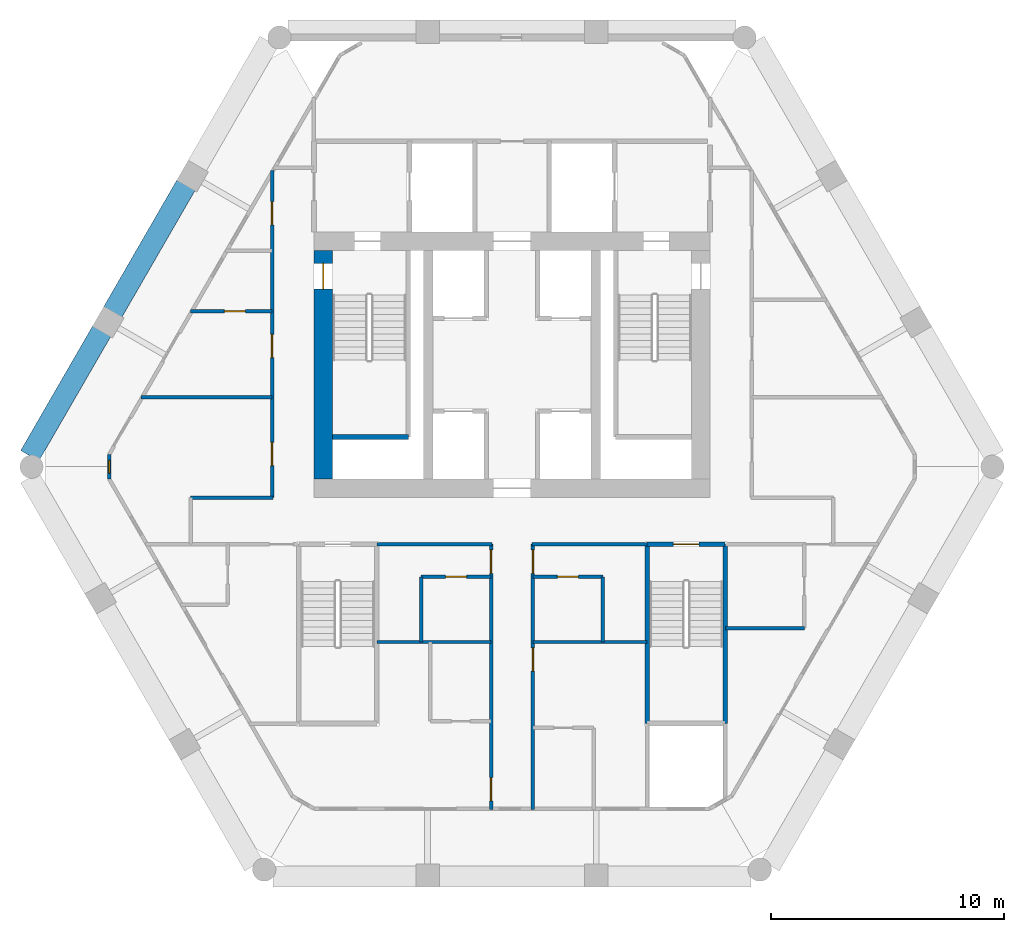
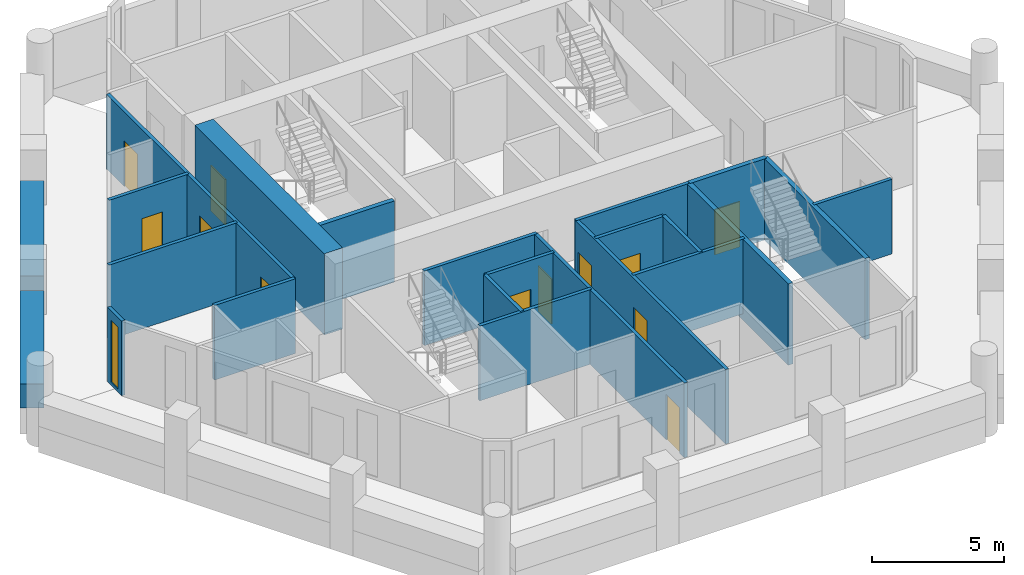
# One storey, part 3 of 7: 23 walls, 12 doors, 1 window, 13 openings.
"""IFC4 building model written with IfcOpenShell, lengths in metres."""

from ifc_helpers import new_model, si_unit, direction, frame, frame_2d, origin, place, context, subcontext, project, spatial, rectangle, extrude, material, layer, layer_set, type_object, element, fill, save


model = new_model("IFC4")

# Units and contexts
model_context = context("Model", 3, precision=1e-05, world=origin(), true_north=direction((0.0, 1.0)))
body_context = subcontext(model_context, "Body", "Model", "MODEL_VIEW")
ifc_project = project(units=[si_unit("LENGTHUNIT", "METRE"), si_unit("AREAUNIT", "SQUARE_METRE"), si_unit("VOLUMEUNIT", "CUBIC_METRE"), si_unit("PLANEANGLEUNIT", "RADIAN"), si_unit("MASSUNIT", "GRAM", prefix="KILO")], contexts=[model_context])

# Site, building, storey
site_placement = place(None, origin())
site = spatial("IfcSite", under=ifc_project, at=site_placement, CompositionType="ELEMENT")
building_placement = place(site_placement, origin())
building = spatial("IfcBuilding", under=site, at=building_placement, Name="Ostrander Bayou Hotel Tower", CompositionType="ELEMENT")
storey_placement = place(building_placement, frame((0.0, 0.0, 168.25)))
storey = spatial("IfcBuildingStorey", under=building, at=storey_placement, Name="L41", CompositionType="ELEMENT", Elevation=168.25)

# Wall, opening, door
ifc_material_1 = material(Name="Concrete f'c 60 MPa", Category="concrete")
ifc_layer_1 = layer(ifc_material_1, 0.800048828125)
ifc_layer_set_1 = layer_set([ifc_layer_1], Name="CW8 core spine wall 800 mm f'c 60 MPa")
wall_type_1 = type_object("IfcWallType", Name="CW8 core spine wall 800 mm f'c 60 MPa", PredefinedType="SHEAR", material=ifc_layer_set_1)
wall_1_placement = place(storey_placement, frame((-8.10009765625, -0.89990234375, -0.300048828125), z_axis=(0.0, 0.0, 1.0), x_axis=(0.0, 1.0, 0.0)))
wall_1 = element("IfcWall", 1, at=wall_1_placement, inside=storey, type_object=wall_type_1, Name="CW8 L41 W", PredefinedType="SHEAR", context=body_context, shape_type="SweptSolid", body=[
    extrude(rectangle(XDim=9.7998046875, YDim=0.800048828125, at=frame_2d((4.89990234375, 0.0))), origin(), (0.0, 0.0, 1.0), 3.75),
])
opening_1_placement = place(wall_1_placement, frame((8.14990234375, 0.0, 0.0)))
opening_1 = element("IfcOpeningElement", 2, at=opening_1_placement, cuts=wall_1, Name="Opening T41-008", PredefinedType="OPENING", context=body_context, shape_type="SweptSolid", body=[
    extrude(rectangle(XDim=1.10009765625, YDim=2.10009765625, at=frame_2d((0.550048828125, 1.050048828125))), frame((0.0, 0.39990234375, 0.0), z_axis=(0.0, -1.0, 0.0), x_axis=(1.0, 0.0, 0.0)), (0.0, 0.0, 1.0), 0.800048828125),
])
ifc_material_2 = material(Name="Timber door leaf", Category="wood")
door_type_1 = type_object("IfcDoorType", Name="D5 stair door 1100 x 2100 mm, 90 minute", OperationType="SINGLE_SWING_LEFT", PredefinedType="DOOR", material=ifc_material_2)
door_1_placement = place(opening_1_placement, origin())
door_1 = element("IfcDoor", 3, at=door_1_placement, inside=storey, type_object=door_type_1, Name="dr:L41:008", OperationType="SINGLE_SWING_RIGHT", OverallHeight=2.10009765625, OverallWidth=1.10009765625, PredefinedType="DOOR", context=body_context, shape_type="SweptSolid", body=[
    extrude(rectangle(XDim=1.10009765625, YDim=2.10009765625, at=frame_2d((0.550048828125, 1.050048828125))), frame((0.0, 0.02490234375, 0.0), z_axis=(0.0, -1.0, 0.0), x_axis=(1.0, 0.0, 0.0)), (0.0, 0.0, 1.0), 0.050048828125),
])
fill(opening_1, door_1)

# Wall, opening, window
ifc_material_3 = material(Name="Aluminium framed insulated wall", Category="aluminium")
ifc_layer_2 = layer(ifc_material_3, 0.14990234375)
ifc_layer_set_2 = layer_set([ifc_layer_2], Name="GW1 glass-line wall 150 mm")
wall_type_2 = type_object("IfcWallType", Name="GW1 glass-line wall 150 mm", PredefinedType="SOLIDWALL", material=ifc_layer_set_2)
wall_2_placement = place(storey_placement, frame((-17.28662109375, 0.156005859375, 0.0), z_axis=(0.0, 0.0, 1.0), x_axis=(0.0, -1.0, 0.0)))
wall_2 = element("IfcWall", 4, at=wall_2_placement, inside=storey, type_object=wall_type_2, Name="GW1 L41 corner 2", PredefinedType="SOLIDWALL", context=body_context, shape_type="SweptSolid", body=[
    extrude(rectangle(XDim=1.06494140625, YDim=0.14990234375, at=frame_2d((0.532470703125, 0.0))), origin(), (0.0, 0.0, 1.0), 3.449951171875),
])
opening_2_placement = place(wall_2_placement, frame((0.257568359375, 0.0, 0.14990234375)))
opening_2 = element("IfcOpeningElement", 5, at=opening_2_placement, cuts=wall_2, Name="Opening W19", PredefinedType="OPENING", context=body_context, shape_type="SweptSolid", body=[
    extrude(rectangle(XDim=0.550048828125, YDim=2.85009765625, at=frame_2d((0.27490234375, 1.425048828125))), frame((0.0, 0.074951171875, 0.0), z_axis=(0.0, -1.0, 0.0), x_axis=(1.0, 0.0, 0.0)), (0.0, 0.0, 1.0), 0.14990234375),
])
ifc_material_4 = material(Name="Aluminium and clear glass", Category="aluminium")
window_type = type_object("IfcWindowType", Name="W19 corner window 550 mm", PartitioningType="SINGLE_PANEL", PredefinedType="WINDOW", material=ifc_material_4)
window_placement = place(opening_2_placement, origin())
window = element("IfcWindow", 6, at=window_placement, inside=storey, type_object=window_type, Name="W19 L41 corner 2", OverallHeight=2.85009765625, OverallWidth=0.550048828125, PartitioningType="SINGLE_PANEL", PredefinedType="WINDOW", context=body_context, shape_type="SweptSolid", body=[
    extrude(rectangle(XDim=0.550048828125, YDim=2.85009765625, at=frame_2d((0.27490234375, 1.425048828125))), frame((0.0, 0.030029296875, 0.0), z_axis=(0.0, -1.0, 0.0), x_axis=(1.0, 0.0, 0.0)), (0.0, 0.0, 1.0), 0.06005859375),
])
fill(opening_2, window)

# Walls
ifc_material_5 = material(Name="Concrete f'c 40 MPa", Category="concrete")
ifc_layer_3 = layer(ifc_material_5, 0.89990234375)
ifc_layer_set_3 = layer_set([ifc_layer_3], Name="PA1 stone-faced parapet 900 mm")
wall_type_3 = type_object("IfcWallType", Name="PA1 stone-faced parapet 900 mm", PredefinedType="PARAPET", material=ifc_layer_set_3)
wall_3_placement = place(storey_placement, frame((-13.99169921875, 11.713134765625, 0.0), z_axis=(0.0, 0.0, 1.0), x_axis=(-0.499984268907, -0.866034485945, 0.0)))
element("IfcWall", 7, at=wall_3_placement, inside=storey, type_object=wall_type_3, Name="PA1 L41 NW-2", PredefinedType="PARAPET", context=body_context, shape_type="SweptSolid", body=[
    extrude(rectangle(XDim=6.296142578125, YDim=0.89990234375, at=frame_2d((3.14794921875, 0.0))), origin(), (0.0, 0.0, 1.0), 1.10009765625),
])
wall_4_placement = place(storey_placement, frame((-17.609619140625, 5.4462890625, 0.0), z_axis=(0.0, 0.0, 1.0), x_axis=(-0.500000533151, -0.866025095969, 0.0)))
element("IfcWall", 8, at=wall_4_placement, inside=storey, type_object=wall_type_3, Name="PA1 L41 NW-3", PredefinedType="PARAPET", context=body_context, shape_type="SweptSolid", body=[
    extrude(rectangle(XDim=6.18115234375, YDim=0.89990234375, at=frame_2d((3.090576171875, 0.0))), origin(), (0.0, 0.0, 1.0), 1.10009765625),
])
ifc_material_6 = material(Name="Gypsum board partition", Category="finish")
ifc_layer_4 = layer(ifc_material_6, 0.14990234375)
ifc_layer_set_4 = layer_set([ifc_layer_4], Name="PT8 service band wall 150 mm, 1 hour")
wall_type_4 = type_object("IfcWallType", Name="PT8 service band wall 150 mm, 1 hour", PredefinedType="PARTITIONING", material=ifc_layer_set_4)
for number, where, z_axis, x_axis, name in (
    (9, (-5.7900390625, -7.89990234375, 0.0), (0.0, 0.0, 1.0), (1.0, 0.0, 0.0), "gw:L41:004"),
    (10, (0.89990234375, -7.89990234375, 0.0), (0.0, 0.0, 1.0), (1.0, 0.0, 0.0), "gw:L41:005"),
):
    element("IfcWall", number, at=place(storey_placement, frame(where, z_axis=z_axis, x_axis=x_axis)), inside=storey, type_object=wall_type_4, Name=name, PredefinedType="PARTITIONING", context=body_context, shape_type="SweptSolid", body=[
        extrude(rectangle(XDim=4.89013671875, YDim=0.14990234375, at=frame_2d((2.445068359375, 0.0))), origin(), (0.0, 0.0, 1.0), 3.449951171875),
    ])
wall_5_placement = place(storey_placement, frame((9.159912109375, -7.300048828125, 0.0), z_axis=(0.0, 0.0, 1.0), x_axis=(1.0, 0.0, 0.0)))
element("IfcWall", 11, at=wall_5_placement, inside=storey, type_object=wall_type_4, Name="gw:L41:006", PredefinedType="PARTITIONING", context=body_context, shape_type="SweptSolid", body=[
    extrude(rectangle(XDim=3.39013671875, YDim=0.14990234375, at=frame_2d((1.695068359375, 0.0))), origin(), (0.0, 0.0, 1.0), 3.449951171875),
])

# Wall, opening, door
wall_6_placement = place(storey_placement, frame((-3.89990234375, -5.10009765625, 0.0), z_axis=(0.0, 0.0, 1.0), x_axis=(1.0, 0.0, 0.0)))
wall_6 = element("IfcWall", 12, at=wall_6_placement, inside=storey, type_object=wall_type_4, Name="gw:L41:008", PredefinedType="PARTITIONING", context=body_context, shape_type="SweptSolid", body=[
    extrude(rectangle(XDim=3.0, YDim=0.14990234375, at=frame_2d((1.5, 0.0))), origin(), (0.0, 0.0, 1.0), 3.449951171875),
])
opening_3_placement = place(wall_6_placement, frame((1.050048828125, 0.0, 0.0)))
opening_3 = element("IfcOpeningElement", 13, at=opening_3_placement, cuts=wall_6, Name="Opening T41-403", PredefinedType="OPENING", context=body_context, shape_type="SweptSolid", body=[
    extrude(rectangle(XDim=0.89990234375, YDim=2.10009765625, at=frame_2d((0.449951171875, 1.050048828125))), frame((0.0, 0.074951171875, 0.0), z_axis=(0.0, -1.0, 0.0), x_axis=(1.0, 0.0, 0.0)), (0.0, 0.0, 1.0), 0.14990234375),
])
ifc_material_7 = material(Name="Timber door leaf", Category="wood")
door_type_2 = type_object("IfcDoorType", Name="D14 bathroom door 900 x 2100 mm", OperationType="SINGLE_SWING_LEFT", PredefinedType="DOOR", material=ifc_material_7)
door_2_placement = place(opening_3_placement, origin())
door_2 = element("IfcDoor", 14, at=door_2_placement, inside=storey, type_object=door_type_2, Name="dr:L41:403", OperationType="SINGLE_SWING_RIGHT", OverallHeight=2.10009765625, OverallWidth=0.89990234375, PredefinedType="DOOR", context=body_context, shape_type="SweptSolid", body=[
    extrude(rectangle(XDim=0.89990234375, YDim=2.10009765625, at=frame_2d((0.449951171875, 1.050048828125))), frame((0.0, 0.02490234375, 0.0), z_axis=(0.0, -1.0, 0.0), x_axis=(1.0, 0.0, 0.0)), (0.0, 0.0, 1.0), 0.050048828125),
])
fill(opening_3, door_2)

wall_7_placement = place(storey_placement, frame((0.89990234375, -5.10009765625, 0.0), z_axis=(0.0, 0.0, 1.0), x_axis=(1.0, 0.0, 0.0)))
wall_7 = element("IfcWall", 15, at=wall_7_placement, inside=storey, type_object=wall_type_4, Name="gw:L41:009", PredefinedType="PARTITIONING", context=body_context, shape_type="SweptSolid", body=[
    extrude(rectangle(XDim=3.0, YDim=0.14990234375, at=frame_2d((1.5, 0.0))), origin(), (0.0, 0.0, 1.0), 3.449951171875),
])
opening_4_placement = place(wall_7_placement, frame((1.050048828125, 0.0, 0.0)))
opening_4 = element("IfcOpeningElement", 16, at=opening_4_placement, cuts=wall_7, Name="Opening T41-407", PredefinedType="OPENING", context=body_context, shape_type="SweptSolid", body=[
    extrude(rectangle(XDim=0.89990234375, YDim=2.10009765625, at=frame_2d((0.449951171875, 1.050048828125))), frame((0.0, 0.074951171875, 0.0), z_axis=(0.0, -1.0, 0.0), x_axis=(1.0, 0.0, 0.0)), (0.0, 0.0, 1.0), 0.14990234375),
])
door_3_placement = place(opening_4_placement, origin())
door_3 = element("IfcDoor", 17, at=door_3_placement, inside=storey, type_object=door_type_2, Name="dr:L41:407", OperationType="SINGLE_SWING_LEFT", OverallHeight=2.10009765625, OverallWidth=0.89990234375, PredefinedType="DOOR", context=body_context, shape_type="SweptSolid", body=[
    extrude(rectangle(XDim=0.89990234375, YDim=2.10009765625, at=frame_2d((0.449951171875, 1.050048828125))), frame((0.0, 0.02490234375, 0.0), z_axis=(0.0, -1.0, 0.0), x_axis=(1.0, 0.0, 0.0)), (0.0, 0.0, 1.0), 0.050048828125),
])
fill(opening_4, door_3)

# Walls
for number, where, z_axis, x_axis, name in (
    (18, (-5.7900390625, -3.699951171875, 0.0), (0.0, 0.0, 1.0), (1.0, 0.0, 0.0), "gw:L41:011"),
    (19, (0.860107421875, -3.699951171875, 0.0), (0.0, 0.0, 1.0), (1.0, 0.0, 0.0), "gw:L41:012"),
):
    element("IfcWall", number, at=place(storey_placement, frame(where, z_axis=z_axis, x_axis=x_axis)), inside=storey, type_object=wall_type_4, Name=name, PredefinedType="PARTITIONING", context=body_context, shape_type="SweptSolid", body=[
        extrude(rectangle(XDim=4.929931640625, YDim=0.14990234375, at=frame_2d((2.46484375, 0.0))), origin(), (0.0, 0.0, 1.0), 3.449951171875),
    ])
wall_8_placement = place(storey_placement, frame((-13.800048828125, -1.699951171875, 0.0), z_axis=(0.0, 0.0, 1.0), x_axis=(1.0, 0.0, 0.0)))
element("IfcWall", 20, at=wall_8_placement, inside=storey, type_object=wall_type_4, Name="gw:L41:014", PredefinedType="PARTITIONING", context=body_context, shape_type="SweptSolid", body=[
    extrude(rectangle(XDim=3.5400390625, YDim=0.14990234375, at=frame_2d((1.77001953125, 0.0))), origin(), (0.0, 0.0, 1.0), 3.449951171875),
])
wall_9_placement = place(storey_placement, frame((-15.927001953125, 2.60009765625, 0.0), z_axis=(0.0, 0.0, 1.0), x_axis=(1.0, 0.0, 0.0)))
element("IfcWall", 21, at=wall_9_placement, inside=storey, type_object=wall_type_4, Name="gw:L41:016", PredefinedType="PARTITIONING", context=body_context, shape_type="SweptSolid", body=[
    extrude(rectangle(XDim=5.626953125, YDim=0.14990234375, at=frame_2d((2.8134765625, 0.0))), origin(), (0.0, 0.0, 1.0), 3.449951171875),
])

# Wall, opening, door
wall_10_placement = place(storey_placement, frame((-13.791015625, 6.300048828125, 0.0), z_axis=(0.0, 0.0, 1.0), x_axis=(1.0, 0.0, 0.0)))
wall_10 = element("IfcWall", 22, at=wall_10_placement, inside=storey, type_object=wall_type_4, Name="gw:L41:018", PredefinedType="PARTITIONING", context=body_context, shape_type="SweptSolid", body=[
    extrude(rectangle(XDim=3.490966796875, YDim=0.14990234375, at=frame_2d((1.74560546875, 0.0))), origin(), (0.0, 0.0, 1.0), 3.449951171875),
])
opening_5_placement = place(wall_10_placement, frame((1.44091796875, 0.0, 0.0)))
opening_5 = element("IfcOpeningElement", 23, at=opening_5_placement, cuts=wall_10, Name="Opening T41-414", PredefinedType="OPENING", context=body_context, shape_type="SweptSolid", body=[
    extrude(rectangle(XDim=0.89990234375, YDim=2.10009765625, at=frame_2d((0.449951171875, 1.050048828125))), frame((0.0, 0.074951171875, 0.0), z_axis=(0.0, -1.0, 0.0), x_axis=(1.0, 0.0, 0.0)), (0.0, 0.0, 1.0), 0.14990234375),
])
ifc_material_8 = material(Name="Timber door leaf", Category="wood")
door_type_3 = type_object("IfcDoorType", Name="D8 room door 900 x 2100 mm", OperationType="SINGLE_SWING_LEFT", PredefinedType="DOOR", material=ifc_material_8)
door_4_placement = place(opening_5_placement, origin())
door_4 = element("IfcDoor", 24, at=door_4_placement, inside=storey, type_object=door_type_3, Name="dr:L41:414", OperationType="SINGLE_SWING_RIGHT", OverallHeight=2.10009765625, OverallWidth=0.89990234375, PredefinedType="DOOR", context=body_context, shape_type="SweptSolid", body=[
    extrude(rectangle(XDim=0.89990234375, YDim=2.10009765625, at=frame_2d((0.449951171875, 1.050048828125))), frame((0.0, 0.02490234375, 0.0), z_axis=(0.0, -1.0, 0.0), x_axis=(1.0, 0.0, 0.0)), (0.0, 0.0, 1.0), 0.050048828125),
])
fill(opening_5, door_4)

# Wall
wall_11_placement = place(storey_placement, frame((3.89990234375, -7.89990234375, 0.0), z_axis=(0.0, 0.0, 1.0), x_axis=(0.0, 1.0, 0.0)))
element("IfcWall", 25, at=wall_11_placement, inside=storey, type_object=wall_type_4, Name="gw:L41:029", PredefinedType="PARTITIONING", context=body_context, shape_type="SweptSolid", body=[
    extrude(rectangle(XDim=2.7998046875, YDim=0.14990234375, at=frame_2d((1.39990234375, 0.0))), origin(), (0.0, 0.0, 1.0), 3.449951171875),
])

# Wall, openings, doors
wall_12_placement = place(storey_placement, frame((0.89990234375, -15.093994140625, 0.0), z_axis=(0.0, 0.0, 1.0), x_axis=(0.0, 1.0, 0.0)))
wall_12 = element("IfcWall", 26, at=wall_12_placement, inside=storey, type_object=wall_type_4, Name="gw:L41:031", PredefinedType="PARTITIONING", context=body_context, shape_type="SweptSolid", body=[
    extrude(rectangle(XDim=11.39404296875, YDim=0.14990234375, at=frame_2d((5.697021484375, 0.0))), origin(), (0.0, 0.0, 1.0), 3.449951171875),
])
opening_6_placement = place(wall_12_placement, frame((10.14404296875, 0.0, 0.0)))
opening_6 = element("IfcOpeningElement", 27, at=opening_6_placement, cuts=wall_12, Name="Opening T41-406", PredefinedType="OPENING", context=body_context, shape_type="SweptSolid", body=[
    extrude(rectangle(XDim=1.0, YDim=2.10009765625, at=frame_2d((0.5, 1.050048828125))), frame((0.0, 0.074951171875, 0.0), z_axis=(0.0, -1.0, 0.0), x_axis=(1.0, 0.0, 0.0)), (0.0, 0.0, 1.0), 0.14990234375),
])
opening_7_placement = place(wall_12_placement, frame((5.944091796875, 0.0, 0.0)))
opening_7 = element("IfcOpeningElement", 28, at=opening_7_placement, cuts=wall_12, Name="Opening T41-408", PredefinedType="OPENING", context=body_context, shape_type="SweptSolid", body=[
    extrude(rectangle(XDim=1.0, YDim=2.10009765625, at=frame_2d((0.5, 1.050048828125))), frame((0.0, 0.074951171875, 0.0), z_axis=(0.0, -1.0, 0.0), x_axis=(1.0, 0.0, 0.0)), (0.0, 0.0, 1.0), 0.14990234375),
])
ifc_material_9 = material(Name="Timber door leaf", Category="wood")
door_type_4 = type_object("IfcDoorType", Name="D1 guest room door 1000 x 2100 mm, 30 minute", OperationType="SINGLE_SWING_LEFT", PredefinedType="DOOR", material=ifc_material_9)
door_5_placement = place(opening_6_placement, origin())
door_5 = element("IfcDoor", 29, at=door_5_placement, inside=storey, type_object=door_type_4, Name="dr:L41:406", OperationType="SINGLE_SWING_RIGHT", OverallHeight=2.10009765625, OverallWidth=1.0, PredefinedType="DOOR", context=body_context, shape_type="SweptSolid", body=[
    extrude(rectangle(XDim=1.0, YDim=2.10009765625, at=frame_2d((0.5, 1.050048828125))), frame((0.0, 0.02490234375, 0.0), z_axis=(0.0, -1.0, 0.0), x_axis=(1.0, 0.0, 0.0)), (0.0, 0.0, 1.0), 0.050048828125),
])
fill(opening_6, door_5)
door_6_placement = place(opening_7_placement, origin())
door_6 = element("IfcDoor", 30, at=door_6_placement, inside=storey, type_object=door_type_4, Name="dr:L41:408", OperationType="SINGLE_SWING_RIGHT", OverallHeight=2.10009765625, OverallWidth=1.0, PredefinedType="DOOR", context=body_context, shape_type="SweptSolid", body=[
    extrude(rectangle(XDim=1.0, YDim=2.10009765625, at=frame_2d((0.5, 1.050048828125))), frame((0.0, 0.02490234375, 0.0), z_axis=(0.0, -1.0, 0.0), x_axis=(1.0, 0.0, 0.0)), (0.0, 0.0, 1.0), 0.050048828125),
])
fill(opening_7, door_6)

wall_13_placement = place(storey_placement, frame((-0.89990234375, -15.093994140625, 0.0), z_axis=(0.0, 0.0, 1.0), x_axis=(0.0, 1.0, 0.0)))
wall_13 = element("IfcWall", 31, at=wall_13_placement, inside=storey, type_object=wall_type_4, Name="gw:L41:032", PredefinedType="PARTITIONING", context=body_context, shape_type="SweptSolid", body=[
    extrude(rectangle(XDim=11.39404296875, YDim=0.14990234375, at=frame_2d((5.697021484375, 0.0))), origin(), (0.0, 0.0, 1.0), 3.449951171875),
])
opening_8_placement = place(wall_13_placement, frame((10.14404296875, 0.0, 0.0)))
opening_8 = element("IfcOpeningElement", 32, at=opening_8_placement, cuts=wall_13, Name="Opening T41-402", PredefinedType="OPENING", context=body_context, shape_type="SweptSolid", body=[
    extrude(rectangle(XDim=1.0, YDim=2.10009765625, at=frame_2d((0.5, 1.050048828125))), frame((0.0, 0.074951171875, 0.0), z_axis=(0.0, -1.0, 0.0), x_axis=(1.0, 0.0, 0.0)), (0.0, 0.0, 1.0), 0.14990234375),
])
opening_9_placement = place(wall_13_placement, frame((0.368896484375, 0.0, 0.0)))
opening_9 = element("IfcOpeningElement", 33, at=opening_9_placement, cuts=wall_13, Name="Opening T41-404", PredefinedType="OPENING", context=body_context, shape_type="SweptSolid", body=[
    extrude(rectangle(XDim=1.0, YDim=2.10009765625, at=frame_2d((0.5, 1.050048828125))), frame((0.0, 0.074951171875, 0.0), z_axis=(0.0, -1.0, 0.0), x_axis=(1.0, 0.0, 0.0)), (0.0, 0.0, 1.0), 0.14990234375),
])
door_7_placement = place(opening_8_placement, origin())
door_7 = element("IfcDoor", 34, at=door_7_placement, inside=storey, type_object=door_type_4, Name="dr:L41:402", OperationType="SINGLE_SWING_RIGHT", OverallHeight=2.10009765625, OverallWidth=1.0, PredefinedType="DOOR", context=body_context, shape_type="SweptSolid", body=[
    extrude(rectangle(XDim=1.0, YDim=2.10009765625, at=frame_2d((0.5, 1.050048828125))), frame((0.0, 0.02490234375, 0.0), z_axis=(0.0, -1.0, 0.0), x_axis=(1.0, 0.0, 0.0)), (0.0, 0.0, 1.0), 0.050048828125),
])
fill(opening_8, door_7)
door_8_placement = place(opening_9_placement, origin())
door_8 = element("IfcDoor", 35, at=door_8_placement, inside=storey, type_object=door_type_4, Name="dr:L41:404", OperationType="SINGLE_SWING_LEFT", OverallHeight=2.10009765625, OverallWidth=1.0, PredefinedType="DOOR", context=body_context, shape_type="SweptSolid", body=[
    extrude(rectangle(XDim=1.0, YDim=2.10009765625, at=frame_2d((0.5, 1.050048828125))), frame((0.0, 0.02490234375, 0.0), z_axis=(0.0, -1.0, 0.0), x_axis=(1.0, 0.0, 0.0)), (0.0, 0.0, 1.0), 0.050048828125),
])
fill(opening_9, door_8)

# Wall
wall_14_placement = place(storey_placement, frame((-3.89990234375, -7.89990234375, 0.0), z_axis=(0.0, 0.0, 1.0), x_axis=(0.0, 1.0, 0.0)))
element("IfcWall", 36, at=wall_14_placement, inside=storey, type_object=wall_type_4, Name="gw:L41:034", PredefinedType="PARTITIONING", context=body_context, shape_type="SweptSolid", body=[
    extrude(rectangle(XDim=2.7998046875, YDim=0.14990234375, at=frame_2d((1.39990234375, 0.0))), origin(), (0.0, 0.0, 1.0), 3.449951171875),
])

# Wall, openings, doors
wall_15_placement = place(storey_placement, frame((-10.300048828125, -1.699951171875, 0.0), z_axis=(0.0, 0.0, 1.0), x_axis=(0.0, 1.0, 0.0)))
wall_15 = element("IfcWall", 37, at=wall_15_placement, inside=storey, type_object=wall_type_4, Name="gw:L41:036", PredefinedType="PARTITIONING", context=body_context, shape_type="SweptSolid", body=[
    extrude(rectangle(XDim=14.046875, YDim=0.14990234375, at=frame_2d((7.0234375, 0.0))), origin(), (0.0, 0.0, 1.0), 3.449951171875),
])
opening_10_placement = place(wall_15_placement, frame((1.3740234375, 0.0, 0.0)))
opening_10 = element("IfcOpeningElement", 38, at=opening_10_placement, cuts=wall_15, Name="Opening T41-412", PredefinedType="OPENING", context=body_context, shape_type="SweptSolid", body=[
    extrude(rectangle(XDim=1.0, YDim=2.10009765625, at=frame_2d((0.5, 1.050048828125))), frame((0.0, 0.074951171875, 0.0), z_axis=(0.0, -1.0, 0.0), x_axis=(1.0, 0.0, 0.0)), (0.0, 0.0, 1.0), 0.14990234375),
])
opening_11_placement = place(wall_15_placement, frame((6.0048828125, 0.0, 0.0)))
opening_11 = element("IfcOpeningElement", 39, at=opening_11_placement, cuts=wall_15, Name="Opening T41-413", PredefinedType="OPENING", context=body_context, shape_type="SweptSolid", body=[
    extrude(rectangle(XDim=1.0, YDim=2.10009765625, at=frame_2d((0.5, 1.050048828125))), frame((0.0, 0.074951171875, 0.0), z_axis=(0.0, -1.0, 0.0), x_axis=(1.0, 0.0, 0.0)), (0.0, 0.0, 1.0), 0.14990234375),
])
opening_12_placement = place(wall_15_placement, frame((11.701904296875, 0.0, 0.0)))
opening_12 = element("IfcOpeningElement", 40, at=opening_12_placement, cuts=wall_15, Name="Opening T41-415", PredefinedType="OPENING", context=body_context, shape_type="SweptSolid", body=[
    extrude(rectangle(XDim=1.0, YDim=2.10009765625, at=frame_2d((0.5, 1.050048828125))), frame((0.0, 0.074951171875, 0.0), z_axis=(0.0, -1.0, 0.0), x_axis=(1.0, 0.0, 0.0)), (0.0, 0.0, 1.0), 0.14990234375),
])
ifc_material_10 = material(Name="Timber door leaf", Category="wood")
door_type_5 = type_object("IfcDoorType", Name="D15 room door 1000 x 2100 mm", OperationType="SINGLE_SWING_LEFT", PredefinedType="DOOR", material=ifc_material_10)
door_9_placement = place(opening_10_placement, origin())
door_9 = element("IfcDoor", 41, at=door_9_placement, inside=storey, type_object=door_type_5, Name="dr:L41:412", OperationType="SINGLE_SWING_LEFT", OverallHeight=2.10009765625, OverallWidth=1.0, PredefinedType="DOOR", context=body_context, shape_type="SweptSolid", body=[
    extrude(rectangle(XDim=1.0, YDim=2.10009765625, at=frame_2d((0.5, 1.050048828125))), frame((0.0, 0.02490234375, 0.0), z_axis=(0.0, -1.0, 0.0), x_axis=(1.0, 0.0, 0.0)), (0.0, 0.0, 1.0), 0.050048828125),
])
fill(opening_10, door_9)
door_10_placement = place(opening_11_placement, origin())
door_10 = element("IfcDoor", 42, at=door_10_placement, inside=storey, type_object=door_type_5, Name="dr:L41:413", OperationType="SINGLE_SWING_LEFT", OverallHeight=2.10009765625, OverallWidth=1.0, PredefinedType="DOOR", context=body_context, shape_type="SweptSolid", body=[
    extrude(rectangle(XDim=1.0, YDim=2.10009765625, at=frame_2d((0.5, 1.050048828125))), frame((0.0, 0.02490234375, 0.0), z_axis=(0.0, -1.0, 0.0), x_axis=(1.0, 0.0, 0.0)), (0.0, 0.0, 1.0), 0.050048828125),
])
fill(opening_11, door_10)
ifc_material_11 = material(Name="Timber door leaf", Category="wood")
door_type_6 = type_object("IfcDoorType", Name="D9 service door 1000 x 2100 mm, 30 minute", OperationType="SINGLE_SWING_LEFT", PredefinedType="DOOR", material=ifc_material_11)
door_11_placement = place(opening_12_placement, origin())
door_11 = element("IfcDoor", 43, at=door_11_placement, inside=storey, type_object=door_type_6, Name="dr:L41:415", OperationType="SINGLE_SWING_LEFT", OverallHeight=2.10009765625, OverallWidth=1.0, PredefinedType="DOOR", context=body_context, shape_type="SweptSolid", body=[
    extrude(rectangle(XDim=1.0, YDim=2.10009765625, at=frame_2d((0.5, 1.050048828125))), frame((0.0, 0.02490234375, 0.0), z_axis=(0.0, -1.0, 0.0), x_axis=(1.0, 0.0, 0.0)), (0.0, 0.0, 1.0), 0.050048828125),
])
fill(opening_12, door_11)

# Wall
ifc_material_12 = material(Name="Concrete f'c 45 MPa", Category="concrete")
ifc_layer_5 = layer(ifc_material_12, 0.199951171875)
ifc_layer_set_5 = layer_set([ifc_layer_5], Name="SW5 stair enclosure wall 200 mm f'c 45 MPa")
wall_type_5 = type_object("IfcWallType", Name="SW5 stair enclosure wall 200 mm f'c 45 MPa", PredefinedType="SOLIDWALL", material=ifc_layer_set_5)
wall_16_placement = place(storey_placement, frame((-7.699951171875, 0.89990234375, -0.300048828125), z_axis=(0.0, 0.0, 1.0), x_axis=(1.0, 0.0, 0.0)))
element("IfcWall", 44, at=wall_16_placement, inside=storey, type_object=wall_type_5, Name="cs:L41:010", PredefinedType="SOLIDWALL", context=body_context, shape_type="SweptSolid", body=[
    extrude(rectangle(XDim=3.25, YDim=0.199951171875, at=frame_2d((1.625, 0.0))), origin(), (0.0, 0.0, 1.0), 3.75),
])

# Wall, opening, door
wall_17_placement = place(storey_placement, frame((5.800048828125, -3.699951171875, -0.300048828125), z_axis=(0.0, 0.0, 1.0), x_axis=(1.0, 0.0, 0.0)))
wall_17 = element("IfcWall", 45, at=wall_17_placement, inside=storey, type_object=wall_type_5, Name="cs:L41:013", PredefinedType="SOLIDWALL", context=body_context, shape_type="SweptSolid", body=[
    extrude(rectangle(XDim=3.349853515625, YDim=0.199951171875, at=frame_2d((1.6748046875, 0.0))), origin(), (0.0, 0.0, 1.0), 3.75),
])
opening_13_placement = place(wall_17_placement, frame((1.125, 0.0, 0.0)))
opening_13 = element("IfcOpeningElement", 46, at=opening_13_placement, cuts=wall_17, Name="Opening T41-011", PredefinedType="OPENING", context=body_context, shape_type="SweptSolid", body=[
    extrude(rectangle(XDim=1.10009765625, YDim=2.10009765625, at=frame_2d((0.550048828125, 1.050048828125))), frame((0.0, 0.10009765625, 0.0), z_axis=(0.0, -1.0, 0.0), x_axis=(1.0, 0.0, 0.0)), (0.0, 0.0, 1.0), 0.199951171875),
])
door_12_placement = place(opening_13_placement, origin())
door_12 = element("IfcDoor", 47, at=door_12_placement, inside=storey, type_object=door_type_1, Name="dr:L41:011", OperationType="SINGLE_SWING_LEFT", OverallHeight=2.10009765625, OverallWidth=1.10009765625, PredefinedType="DOOR", context=body_context, shape_type="SweptSolid", body=[
    extrude(rectangle(XDim=1.10009765625, YDim=2.10009765625, at=frame_2d((0.550048828125, 1.050048828125))), frame((0.0, 0.02490234375, 0.0), z_axis=(0.0, -1.0, 0.0), x_axis=(1.0, 0.0, 0.0)), (0.0, 0.0, 1.0), 0.050048828125),
])
fill(opening_13, door_12)

# Walls
for number, where, z_axis, x_axis, name in (
    (48, (5.800048828125, -3.699951171875, -0.300048828125), (0.0, 0.0, 1.0), (0.0, -1.0, 0.0), "cs:L41:014"),
    (49, (9.14990234375, -3.699951171875, -0.300048828125), (0.0, 0.0, 1.0), (0.0, -1.0, 0.0), "cs:L41:015"),
):
    element("IfcWall", number, at=place(storey_placement, frame(where, z_axis=z_axis, x_axis=x_axis)), inside=storey, type_object=wall_type_5, Name=name, PredefinedType="SOLIDWALL", context=body_context, shape_type="SweptSolid", body=[
        extrude(rectangle(XDim=7.699951171875, YDim=0.199951171875, at=frame_2d((3.85009765625, 0.0))), origin(), (0.0, 0.0, 1.0), 3.75),
    ])

save(model, "model.ifc")
